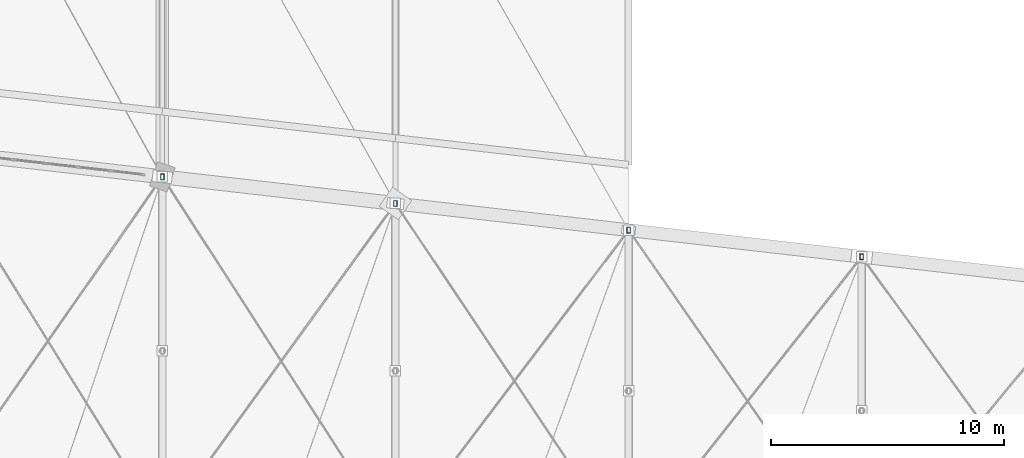
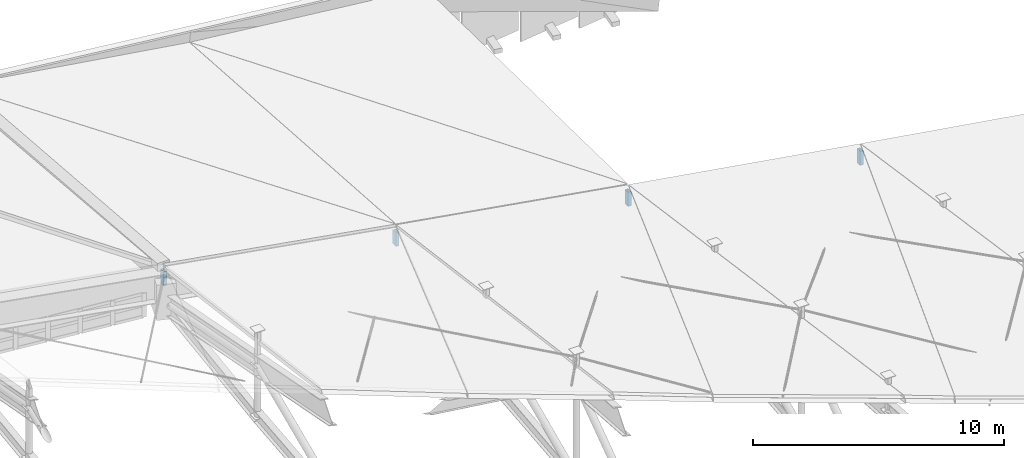
# One storey, part 50 of 68: 4 members.
"""IFC4 building model written with IfcOpenShell, lengths in metres."""

from ifc_helpers import new_model, si_unit, direction, frame, origin, origin_2d, place, context, subcontext, project, spatial, hollow_rectangle, extrude, material, material_profile, profile_set, type_object, element, save


model = new_model("IFC4")

# Units and contexts
model_context = context("Model", 3, precision=1e-05, world=origin(), true_north=direction((0.0, 1.0)))
body_context = subcontext(model_context, "Body", "Model", "MODEL_VIEW")
ifc_project = project(units=[si_unit("LENGTHUNIT", "METRE"), si_unit("AREAUNIT", "SQUARE_METRE"), si_unit("VOLUMEUNIT", "CUBIC_METRE"), si_unit("PLANEANGLEUNIT", "RADIAN"), si_unit("MASSUNIT", "GRAM", prefix="KILO")], contexts=[model_context])

# Site, building, storey
site_placement = place(None, origin())
site = spatial("IfcSite", under=ifc_project, at=site_placement, CompositionType="ELEMENT")
building_placement = place(site_placement, origin())
building = spatial("IfcBuilding", under=site, at=building_placement, Name="Sohan Crest Arena", CompositionType="ELEMENT")
storey_placement = place(building_placement, frame((0.0, 0.0, 27.0)))
storey = spatial("IfcBuildingStorey", under=building, at=storey_placement, Name="RF", CompositionType="ELEMENT", Elevation=27.0)

# Members
ifc_material = material(Name="Steel S355", Category="steel")
ifc_material_profile = material_profile(ifc_material, hollow_rectangle(XDim=0.14990234375, YDim=0.25, WallThickness=0.010009765625, at=origin_2d()), Name="RHS 250x150x10")
ifc_profile_set = profile_set([ifc_material_profile], Name="Steel S355")
member_type = type_object("IfcMemberType", Name="STR-MEM-CH02", PredefinedType="CHORD", material=ifc_profile_set)
for number, where, z_axis, x_axis, name in (
    (1, (138.0, 104.428955078125, -1.22998046875), (0.0, 0.0, 1.0), (1.0, 0.0, 0.0), "Ring beam roof bearing saddle chord RSR-31"),
    (2, (128.0, 105.571044921875, -0.4130859375), (0.0, 0.0, 1.0), (1.0, 0.0, 0.0), "Ring beam roof bearing saddle chord RSR-32"),
    (3, (118.0, 106.714111328125, 0.447021484375), (0.0, 0.0, 1.0), (1.0, 0.0, 0.0), "Ring beam roof bearing saddle chord RSR-33"),
    (4, (108.0, 107.85693359375, 1.343017578125), (0.0, 0.0, 1.0), (1.0, 0.0, 0.0), "Ring beam roof bearing saddle chord RSR-34"),
):
    element("IfcMember", number, at=place(storey_placement, frame(where, z_axis=z_axis, x_axis=x_axis)), inside=storey, type_object=member_type, Name=name, PredefinedType="CHORD", context=body_context, shape_type="SweptSolid", body=[
        extrude(hollow_rectangle(XDim=0.14990234375, YDim=0.25, WallThickness=0.010009765625, at=origin_2d()), origin(), (0.0, 0.0, 1.0), 0.68505859375),
    ])

save(model, "model.ifc")
